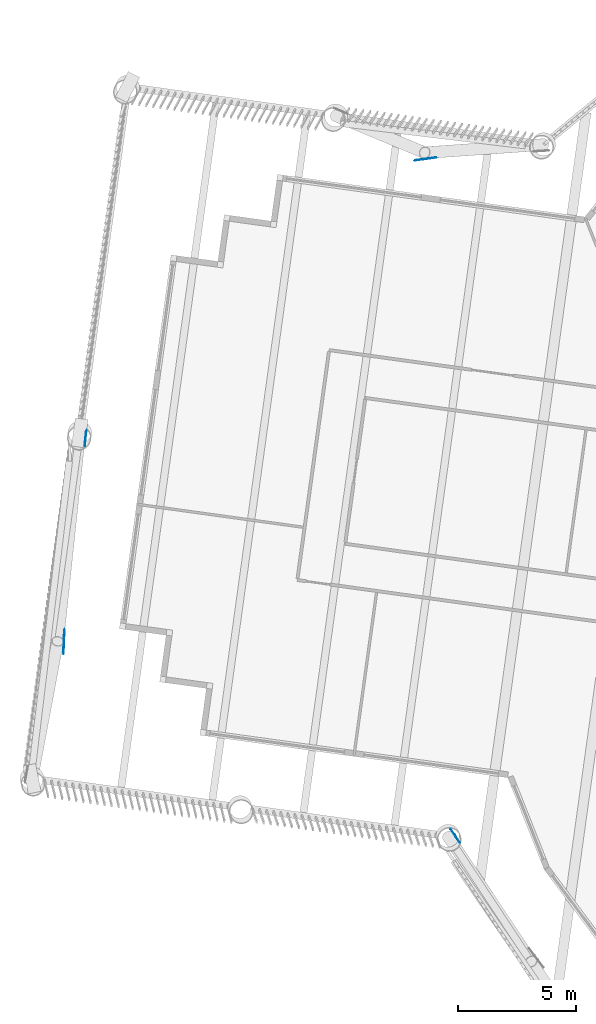
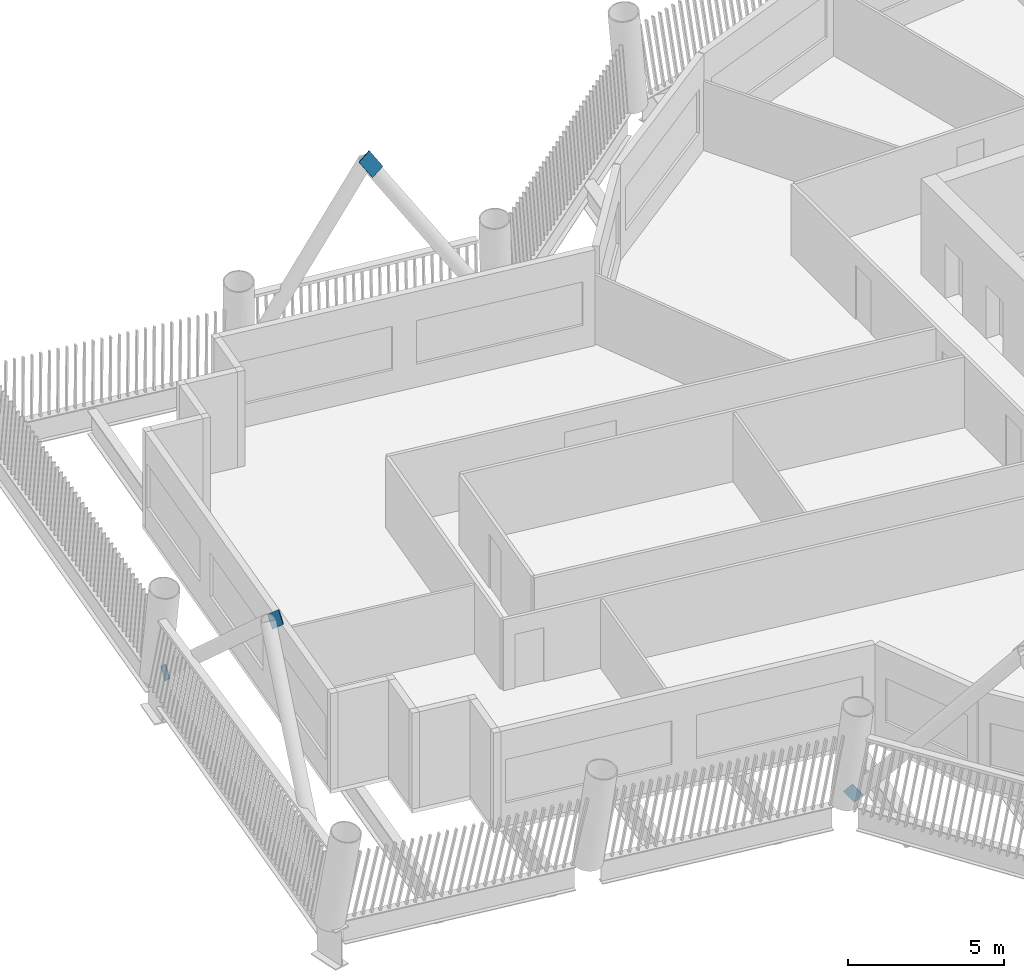
# One storey, part 9 of 21: 4 discrete accessories.
"""IFC4 building model written with IfcOpenShell, lengths in metres."""

import ifcopenshell
import ifcopenshell.guid

model = None  # the IFC model being written
_history = None  # IfcOwnerHistory: only IFC2X3 demands one
_inside = {}  # id of a spatial element -> (the spatial element, [elements in it])
_under = {}  # id of a project, library or spatial element -> (it, [spatial elements below it])
_declared = {}  # id of a project -> (the project, [libraries it declares])
_typed = {}  # id of a type object -> (the type object, [elements of that type])
_made_of = {}  # id of a material, layer set ... -> (it, [elements and type objects made of it])


def new_model(schema):
    """Start an empty IFC model of exactly this schema.

    Asked for "IFC4X3", IfcOpenShell would pick the latest addendum, in which some entities
    have other attributes; the version numbers below select the first issue.
    IFC2X3 requires an IfcOwnerHistory on every rooted entity: one is made here for all.
    """
    global model, _history
    if schema == "IFC4X3":
        model = ifcopenshell.file(schema_version=(4, 3, 0, 0))
    else:
        model = ifcopenshell.file(schema=schema)
    _inside.clear()
    _under.clear()
    _declared.clear()
    _typed.clear()
    _made_of.clear()
    _history = None
    if model.schema == "IFC2X3":
        org = make("IfcOrganization", Name="unknown")
        user = make(
            "IfcPersonAndOrganization",
            ThePerson=make("IfcPerson", FamilyName="unknown"),
            TheOrganization=org,
        )
        app = make(
            "IfcApplication",
            ApplicationDeveloper=org,
            Version="unknown",
            ApplicationFullName="unknown",
            ApplicationIdentifier="unknown",
        )
        _history = make(
            "IfcOwnerHistory",
            OwningUser=user,
            OwningApplication=app,
            ChangeAction="ADDED",
            CreationDate=0,
        )
    return model


def make(cls, **values):
    """One entity of the class cls with the attributes given. An attribute that is None is left unset."""
    return model.create_entity(
        cls, **{name: value for name, value in values.items() if value is not None}
    )


def rooted(cls, **values):
    """An entity with a GlobalId (a new one), such as an element, a storey or a relation."""
    return make(cls, GlobalId=ifcopenshell.guid.new(), OwnerHistory=_history, **values)


def si_unit(unit_type, name, prefix=None):
    """IfcSIUnit, for example si_unit("LENGTHUNIT", "METRE", prefix="MILLI")."""
    return make("IfcSIUnit", UnitType=unit_type, Prefix=prefix, Name=name)


def assignment(units):
    """IfcUnitAssignment: the units of a project."""
    return None if units is None else make("IfcUnitAssignment", Units=units)


def point(xyz):
    """IfcCartesianPoint."""
    return None if xyz is None else make("IfcCartesianPoint", Coordinates=xyz)


def direction(xyz):
    """IfcDirection."""
    return None if xyz is None else make("IfcDirection", DirectionRatios=xyz)


def frame(location, z_axis=None, x_axis=None):
    """IfcAxis2Placement3D, a coordinate frame: its origin and axes. An axis left out is left unset."""
    return make(
        "IfcAxis2Placement3D",
        Location=point(location),
        Axis=direction(z_axis),
        RefDirection=direction(x_axis),
    )


def frame_2d(location, x_axis=None):
    """IfcAxis2Placement2D, a coordinate frame in the plane: its origin and x axis."""
    return make(
        "IfcAxis2Placement2D", Location=point(location), RefDirection=direction(x_axis)
    )


def origin():
    """The frame at (0, 0, 0) with its axes left unset."""
    return frame((0.0, 0.0, 0.0))


def origin_2d():
    """The frame at (0, 0) in the plane with its x axis left unset."""
    return frame_2d((0.0, 0.0))


def place(relative_to, where):
    """IfcLocalPlacement: puts the frame where relative to a parent placement (None: the world)."""
    return make(
        "IfcLocalPlacement", PlacementRelTo=relative_to, RelativePlacement=where
    )


def context(
    kind, dimensions, precision=None, world=None, true_north=None, identifier=None
):
    """IfcGeometricRepresentationContext, for example the 3D "Model" context."""
    return make(
        "IfcGeometricRepresentationContext",
        ContextIdentifier=identifier,
        ContextType=kind,
        CoordinateSpaceDimension=dimensions,
        Precision=precision,
        WorldCoordinateSystem=world,
        TrueNorth=true_north,
    )


def subcontext(parent, identifier, kind, view, scale=None):
    """IfcGeometricRepresentationSubContext, for example "Body" below "Model"."""
    return make(
        "IfcGeometricRepresentationSubContext",
        ContextIdentifier=identifier,
        ContextType=kind,
        ParentContext=parent,
        TargetScale=scale,
        TargetView=view,
    )


def project(units=None, contexts=None):
    """IfcProject with its units and contexts."""
    return rooted(
        "IfcProject",
        Name="project",
        RepresentationContexts=contexts,
        UnitsInContext=assignment(units),
    )


def spatial(cls, under=None, at=None, **own):
    """A site, building, storey or space (cls), placed at a placement, below another one or the project."""
    s = rooted(cls, ObjectPlacement=at, **own)
    if under is not None:
        _under.setdefault(under.id(), (under, []))[1].append(s)
    return s


def profile(cls, at=None, kind="AREA", **sizes):
    """A parametric profile (cls). Its sizes go by their IFC names, for example OverallWidth=200.0."""
    return make(cls, ProfileType=kind, Position=at, **sizes)


def rectangle(**sizes):
    """IfcRectangleProfileDef."""
    return profile("IfcRectangleProfileDef", **sizes)


def extrude(swept, where, along, depth):
    """IfcExtrudedAreaSolid: the profile swept, set in the frame where, extruded along a direction by depth."""
    return make(
        "IfcExtrudedAreaSolid",
        SweptArea=swept,
        Position=where,
        ExtrudedDirection=direction(along),
        Depth=depth,
    )


def shape(context_of_items, identifier, shape_type, items):
    """IfcShapeRepresentation: the items that make up one representation, for example the "Body"."""
    return make(
        "IfcShapeRepresentation",
        ContextOfItems=context_of_items,
        RepresentationIdentifier=identifier,
        RepresentationType=shape_type,
        Items=items,
    )


def material(Name=None, Category=None):
    """IfcMaterial."""
    return make("IfcMaterial", Name=Name, Category=Category)


def material_profile(
    of_material, cross_section, Name=None, Category=None, Priority=None
):
    """IfcMaterialProfile: a cross section and its material."""
    return make(
        "IfcMaterialProfile",
        Name=Name,
        Material=of_material,
        Profile=cross_section,
        Priority=Priority,
        Category=Category,
    )


def profile_set(profiles, Name=None, composite=None):
    """IfcMaterialProfileSet."""
    return make(
        "IfcMaterialProfileSet",
        Name=Name,
        MaterialProfiles=profiles,
        CompositeProfile=composite,
    )


def made_of(thing, what):
    """Note that an element or type object is made of a material, layer set ...; save() writes the relation."""
    if what is not None:
        _made_of.setdefault(what.id(), (what, []))[1].append(thing)
    return thing


def type_object(cls, material=None, **own):
    """A type object (cls), such as IfcWallType, which elements share."""
    return made_of(rooted(cls, **own), material)


def element(
    cls,
    number,
    at=None,
    inside=None,
    cuts=None,
    type_object=None,
    material=None,
    context=None,
    identifier="Body",
    shape_type=None,
    held_by="IfcProductDefinitionShape",
    body=None,
    shapes=None,
    **own,
):
    """One element of the class cls, such as IfcWall. Its Tag is "e" and its number.

    at: its placement. inside: the storey or other place that contains it. cuts: it is an
    opening in that element (IfcRelVoidsElement). A single representation is given by context,
    identifier, shape_type and body (its items); several are given by shapes. held_by: the class
    of the entity that holds the representations. save() writes the other relations.
    """
    e = rooted(cls, Tag="e%d" % number, ObjectPlacement=at, **own)
    if body is not None:
        shapes = [shape(context, identifier, shape_type, body)]
    if shapes is not None:
        e.Representation = make(held_by, Representations=shapes)
    if inside is not None:
        _inside.setdefault(inside.id(), (inside, []))[1].append(e)
    if cuts is not None:
        rooted(
            "IfcRelVoidsElement", RelatingBuildingElement=cuts, RelatedOpeningElement=e
        )
    if type_object is not None:
        _typed.setdefault(type_object.id(), (type_object, []))[1].append(e)
    return made_of(e, material)


def aggregate(whole, parts):
    """IfcRelAggregates: a whole, such as a stair, and the parts it consists of."""
    return rooted("IfcRelAggregates", RelatingObject=whole, RelatedObjects=parts)


def save(model, path):
    """Write the relations noted so far, then the file.

    IfcRelAggregates (storeys below a building ...), IfcRelContainedInSpatialStructure (elements
    in a storey), IfcRelDefinesByType, IfcRelAssociatesMaterial and IfcRelDeclares: one each for
    every whole, place, type object, material and project.
    """
    for whole, parts in _under.values():
        aggregate(whole, parts)
    for where, things in _inside.values():
        rooted(
            "IfcRelContainedInSpatialStructure",
            RelatedElements=things,
            RelatingStructure=where,
        )
    for kind, things in _typed.values():
        rooted("IfcRelDefinesByType", RelatedObjects=things, RelatingType=kind)
    for what, things in _made_of.values():
        rooted("IfcRelAssociatesMaterial", RelatedObjects=things, RelatingMaterial=what)
    for by, libraries in _declared.values():
        rooted("IfcRelDeclares", RelatingContext=by, RelatedDefinitions=libraries)
    model.write(path)


model = new_model("IFC4")

# Units and contexts
model_context = context("Model", 3, precision=1e-05, world=origin(), true_north=direction((0.0, 1.0)))
body_context = subcontext(model_context, "Body", "Model", "MODEL_VIEW")
ifc_project = project(units=[si_unit("LENGTHUNIT", "METRE"), si_unit("AREAUNIT", "SQUARE_METRE"), si_unit("VOLUMEUNIT", "CUBIC_METRE"), si_unit("PLANEANGLEUNIT", "RADIAN"), si_unit("MASSUNIT", "GRAM", prefix="KILO")], contexts=[model_context])

# Site, building, storey
site_placement = place(None, origin())
site = spatial("IfcSite", under=ifc_project, at=site_placement, CompositionType="ELEMENT")
building_placement = place(site_placement, origin())
building = spatial("IfcBuilding", under=site, at=building_placement, Name="Tarsis Ring Headquarters", CompositionType="ELEMENT")
storey_placement = place(building_placement, frame((0.0, 0.0, 255.199951171875)))
storey = spatial("IfcBuildingStorey", under=building, at=storey_placement, Name="L59", CompositionType="ELEMENT", Elevation=255.199951171875)

# Discrete accessories
ifc_material = material(Name="Structural steel S355", Category="steel")
ifc_material_profile = material_profile(ifc_material, rectangle(XDim=0.02490234375, YDim=0.5, at=origin_2d()), Name="PL 25x500")
ifc_profile_set = profile_set([ifc_material_profile], Name="Structural steel S355")
discrete_accessory_type = type_object("IfcDiscreteAccessoryType", Name="Gusset plate Exo brace 25", PredefinedType="BRACKET", material=ifc_profile_set)
discrete_accessory_1_placement = place(storey_placement, frame((-27.46923828125, 17.51123046875, 7.38134765625), z_axis=(-0.541558638756, -0.073005425152, 0.83748698419), x_axis=(0.133597682285, -0.991035649857, 0.0)))
element("IfcDiscreteAccessory", 1, at=discrete_accessory_1_placement, inside=storey, type_object=discrete_accessory_type, Name="Gusset plate GP5", PredefinedType="BRACKET", context=body_context, shape_type="SweptSolid", body=[
    extrude(rectangle(XDim=0.02490234375, YDim=0.5, at=origin_2d()), origin(), (0.0, 0.0, 1.0), 1.0),
])
discrete_accessory_2_placement = place(storey_placement, frame((-42.130859375, 5.83984375, 0.0), z_axis=(-0.079062317271, -0.747675741104, 0.659340682919), x_axis=(0.994455544718, -0.105157831752, 0.0)))
element("IfcDiscreteAccessory", 2, at=discrete_accessory_2_placement, inside=storey, type_object=discrete_accessory_type, Name="Gusset plate GP5", PredefinedType="BRACKET", context=body_context, shape_type="SweptSolid", body=[
    extrude(rectangle(XDim=0.02490234375, YDim=0.5, at=origin_2d()), origin(), (0.0, 0.0, 1.0), 0.500244140625),
])
discrete_accessory_3_placement = place(storey_placement, frame((-43.051025390625, -2.61181640625, 7.470458984375), z_axis=(-0.031246971779, -0.751392024503, 0.659115810968), x_axis=(0.999136445258, -0.041549533786, 0.0)))
element("IfcDiscreteAccessory", 3, at=discrete_accessory_3_placement, inside=storey, type_object=discrete_accessory_type, Name="Gusset plate GP5", PredefinedType="BRACKET", context=body_context, shape_type="SweptSolid", body=[
    extrude(rectangle(XDim=0.02490234375, YDim=0.5, at=origin_2d()), origin(), (0.0, 0.0, 1.0), 1.0),
])
discrete_accessory_4_placement = place(storey_placement, frame((-26.566650390625, -11.0859375, 0.0), z_axis=(0.35059241561, -0.527353494233, 0.773940081813), x_axis=(0.832761371222, 0.553632096794, 0.0)))
element("IfcDiscreteAccessory", 4, at=discrete_accessory_4_placement, inside=storey, type_object=discrete_accessory_type, Name="Gusset plate GP5", PredefinedType="BRACKET", context=body_context, shape_type="SweptSolid", body=[
    extrude(rectangle(XDim=0.02490234375, YDim=0.5, at=origin_2d()), origin(), (0.0, 0.0, 1.0), 0.5),
])

save(model, "model.ifc")
